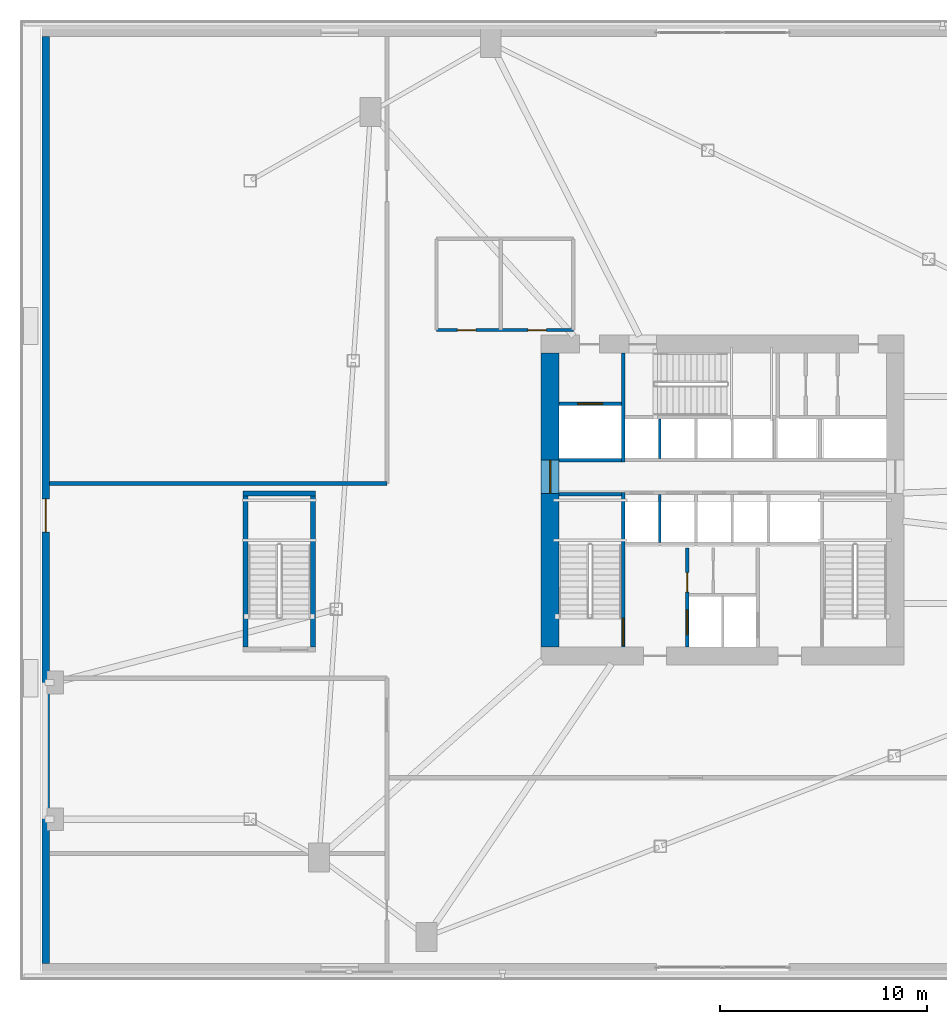
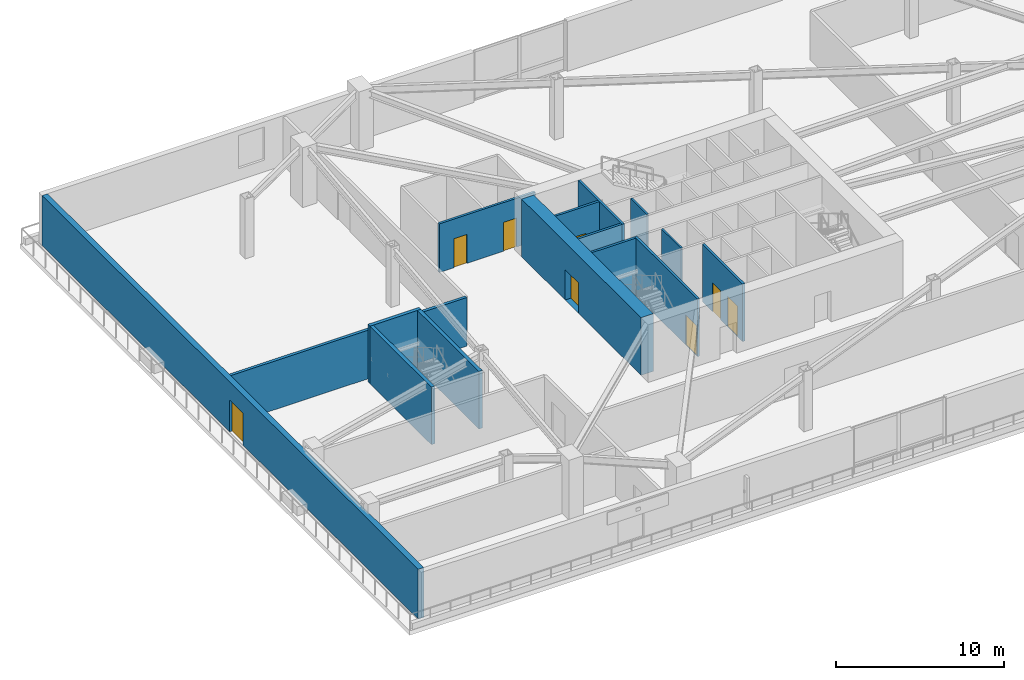
# One storey, part 8 of 16: 15 walls, 8 doors, 8 openings.
"""IFC4 building model written with IfcOpenShell, lengths in metres."""

from ifc_helpers import new_model, si_unit, direction, frame, frame_2d, origin, place, context, subcontext, project, spatial, rectangle, extrude, source, transform, mapped, material, layer, layer_set, type_object, type_shapes, element, fill, save


model = new_model("IFC4")

# Units and contexts
model_context = context("Model", 3, precision=1e-05, world=origin(), true_north=direction((0.0, 1.0)))
body_context = subcontext(model_context, "Body", "Model", "MODEL_VIEW")
ifc_project = project(units=[si_unit("LENGTHUNIT", "METRE"), si_unit("AREAUNIT", "SQUARE_METRE"), si_unit("VOLUMEUNIT", "CUBIC_METRE"), si_unit("PLANEANGLEUNIT", "RADIAN"), si_unit("MASSUNIT", "GRAM", prefix="KILO")], contexts=[model_context])

# Site, building, storey
site_placement = place(None, origin())
site = spatial("IfcSite", under=ifc_project, at=site_placement, CompositionType="ELEMENT")
building_placement = place(site_placement, origin())
building = spatial("IfcBuilding", under=site, at=building_placement, Name="Olszyna Solenne Hotel", CompositionType="ELEMENT")
storey_placement = place(building_placement, frame((0.0, 0.0, 15.60009765625)))
storey = spatial("IfcBuildingStorey", under=building, at=storey_placement, Name="L03", CompositionType="ELEMENT", Elevation=15.60009765625)

# Wall, opening, door
ifc_material_1 = material(Name="Concrete C60/75", Category="concrete")
ifc_layer_1 = layer(ifc_material_1, 0.85009765625, Name="Concrete C60/75")
ifc_layer_set_1 = layer_set([ifc_layer_1], Name="Concrete C60/75")
wall_type_1 = type_object("IfcWallType", Name="WL-CR850", PredefinedType="SHEAR", material=ifc_layer_set_1)
wall_1_placement = place(storey_placement, frame((29.675048828125, 19.5, 0.0), z_axis=(0.0, 0.0, 1.0), x_axis=(0.0, 1.0, 0.0)))
wall_1 = element("IfcWall", 1, at=wall_1_placement, inside=storey, type_object=wall_type_1, Name="Core shear wall WL-CR850 CRW-L03-W", PredefinedType="SHEAR", context=body_context, shape_type="SweptSolid", body=[
    extrude(rectangle(XDim=14.199951171875, YDim=0.85009765625, at=frame_2d((7.10009765625, 0.0))), origin(), (0.0, 0.0, 1.0), 4.179931640625),
])
opening_1_placement = place(wall_1_placement, frame((7.419921875, 0.0, 0.0)))
opening_1 = element("IfcOpeningElement", 2, at=opening_1_placement, cuts=wall_1, Name="Opening LHD-L03-W", PredefinedType="OPENING", context=body_context, shape_type="SweptSolid", body=[
    extrude(rectangle(XDim=1.60009765625, YDim=2.199951171875, at=frame_2d((0.800048828125, 1.10009765625))), frame((0.0, 0.43505859375, 0.0), z_axis=(0.0, -1.0, 0.0), x_axis=(1.0, 0.0, 0.0)), (0.0, 0.0, 1.0), 0.8701171875),
])
ifc_material_2 = material(Name="Timber hardwood", Category="wood")
door_type_1 = type_object("IfcDoorType", Name="DR-CR1", OperationType="DOUBLE_DOOR_SINGLE_SWING", PredefinedType="DOOR", material=ifc_material_2)
shared_shape_1 = source(origin(), body_context, "Body", "SweptSolid", [
    extrude(rectangle(XDim=1.60009765625, YDim=2.199951171875, at=frame_2d((0.800048828125, 1.10009765625))), frame((0.0, 0.02490234375, 0.0), z_axis=(0.0, -1.0, 0.0), x_axis=(1.0, 0.0, 0.0)), (0.0, 0.0, 1.0), 0.050048828125),
])
type_shapes(door_type_1, [shared_shape_1])
door_1_placement = place(opening_1_placement, origin())
door_1 = element("IfcDoor", 3, at=door_1_placement, inside=storey, type_object=door_type_1, Name="Passenger lift lobby West fire door LHD-L03-W", OperationType="DOUBLE_DOOR_SINGLE_SWING", OverallHeight=2.199951171875, OverallWidth=1.60009765625, PredefinedType="DOOR", context=body_context, shape_type="MappedRepresentation", body=[
    mapped(shared_shape_1, transform((0.0, 0.0, 0.0), x_axis=(1.0, 0.0, 0.0), y_axis=(0.0, 1.0, 0.0), z_axis=(0.0, 0.0, 1.0), scale=1.0)),
])
fill(opening_1, door_1)

ifc_material_3 = material(Name="Terracotta cladding on precast concrete C45/55", Category="masonry")
ifc_layer_2 = layer(ifc_material_3, 0.3798828125, Name="Terracotta cladding on precast concrete C45/55")
ifc_layer_set_2 = layer_set([ifc_layer_2], Name="Terracotta cladding on precast concrete C45/55")
wall_type_2 = type_object("IfcWallType", Name="WL-EX380", PredefinedType="SOLIDWALL", material=ifc_layer_set_2)
wall_2_placement = place(storey_placement, frame((5.340087890625, 4.239990234375, 0.0), z_axis=(0.0, 0.0, 1.0), x_axis=(0.0, 1.0, 0.0)))
wall_2 = element("IfcWall", 4, at=wall_2_placement, inside=storey, type_object=wall_type_2, Name="Podium terracotta-precast exterior wall EW-L03-W", PredefinedType="SOLIDWALL", context=body_context, shape_type="SweptSolid", body=[
    extrude(rectangle(XDim=44.719970703125, YDim=0.3798828125, at=frame_2d((22.35986328125, 0.0))), origin(), (0.0, 0.0, 1.0), 3.621826171875),
])
opening_2_placement = place(wall_2_placement, frame((20.81005859375, 0.0, 0.0)))
opening_2 = element("IfcOpeningElement", 5, at=opening_2_placement, cuts=wall_2, Name="Opening TD-L03-W", PredefinedType="OPENING", context=body_context, shape_type="SweptSolid", body=[
    extrude(rectangle(XDim=1.60009765625, YDim=2.300048828125, at=frame_2d((0.800048828125, 1.14990234375))), frame((0.0, 0.199951171875, 0.0), z_axis=(0.0, -1.0, 0.0), x_axis=(1.0, 0.0, 0.0)), (0.0, 0.0, 1.0), 0.39990234375),
])
ifc_material_4 = material(Name="Anodised bronze aluminium", Category="aluminium")
door_type_2 = type_object("IfcDoorType", Name="DR-EX2", OperationType="DOUBLE_DOOR_SINGLE_SWING", PredefinedType="DOOR", material=ifc_material_4)
shared_shape_2 = source(origin(), body_context, "Body", "SweptSolid", [
    extrude(rectangle(XDim=1.60009765625, YDim=2.300048828125, at=frame_2d((0.800048828125, 1.14990234375))), frame((0.0, 0.02490234375, 0.0), z_axis=(0.0, -1.0, 0.0), x_axis=(1.0, 0.0, 0.0)), (0.0, 0.0, 1.0), 0.050048828125),
])
type_shapes(door_type_2, [shared_shape_2])
door_2_placement = place(opening_2_placement, origin())
door_2 = element("IfcDoor", 6, at=door_2_placement, inside=storey, type_object=door_type_2, Name="Garden Terrace Double Door TD-L03-W", OperationType="DOUBLE_DOOR_SINGLE_SWING", OverallHeight=2.300048828125, OverallWidth=1.60009765625, PredefinedType="DOOR", context=body_context, shape_type="MappedRepresentation", body=[
    mapped(shared_shape_2, transform((0.0, 0.0, 0.0), x_axis=(1.0, 0.0, 0.0), y_axis=(0.0, 1.0, 0.0), z_axis=(0.0, 0.0, 1.0), scale=1.0)),
])
fill(opening_2, door_2)

# Walls
ifc_material_5 = material(Name="Acoustic gypsum partition", Category="gypsum")
ifc_layer_3 = layer(ifc_material_5, 0.125, Name="Acoustic gypsum partition")
ifc_layer_set_3 = layer_set([ifc_layer_3], Name="Acoustic gypsum partition")
wall_type_3 = type_object("IfcWallType", Name="WL-PT125", PredefinedType="PARTITIONING", material=ifc_layer_set_3)
wall_3_placement = place(storey_placement, frame((34.965087890625, 24.56005859375, 0.0), z_axis=(0.0, 0.0, 1.0), x_axis=(0.0, 1.0, 0.0)))
element("IfcWall", 7, at=wall_3_placement, inside=storey, type_object=wall_type_3, Name="Core shaft compartment wall CW-L03-DIVS349", PredefinedType="PARTITIONING", context=body_context, shape_type="SweptSolid", body=[
    extrude(rectangle(XDim=2.31005859375, YDim=0.125, at=frame_2d((1.155029296875, 0.0))), origin(), (0.0, 0.0, 1.0), 4.179931640625),
])
wall_4_placement = place(storey_placement, frame((34.965087890625, 28.60009765625, 0.0), z_axis=(0.0, 0.0, 1.0), x_axis=(0.0, 1.0, 0.0)))
element("IfcWall", 8, at=wall_4_placement, inside=storey, type_object=wall_type_3, Name="Core shaft compartment wall CW-L03-DIVN349", PredefinedType="PARTITIONING", context=body_context, shape_type="SweptSolid", body=[
    extrude(rectangle(XDim=1.919921875, YDim=0.125, at=frame_2d((0.9599609375, 0.0))), origin(), (0.0, 0.0, 1.0), 4.179931640625),
])

# Wall, opening, door
ifc_layer_4 = layer(ifc_material_5, 0.159912109375, Name="Acoustic gypsum partition")
ifc_layer_set_4 = layer_set([ifc_layer_4], Name="Acoustic gypsum partition")
wall_type_4 = type_object("IfcWallType", Name="WL-PT160", PredefinedType="PARTITIONING", material=ifc_layer_set_4)
wall_5_placement = place(storey_placement, frame((33.199951171875, 19.5, 0.0), z_axis=(0.0, 0.0, 1.0), x_axis=(0.0, 1.0, 0.0)))
wall_5 = element("IfcWall", 9, at=wall_5_placement, inside=storey, type_object=wall_type_4, Name="Core shaft compartment wall CW-L03-ST1E", PredefinedType="PARTITIONING", context=body_context, shape_type="SweptSolid", body=[
    extrude(rectangle(XDim=7.4599609375, YDim=0.159912109375, at=frame_2d((3.72998046875, 0.0))), origin(), (0.0, 0.0, 1.0), 4.179931640625),
])
opening_3_placement = place(wall_5_placement, frame((0.080078125, 0.0, 0.0)))
opening_3 = element("IfcOpeningElement", 10, at=opening_3_placement, cuts=wall_5, Name="Opening STD-L03-01", PredefinedType="OPENING", context=body_context, shape_type="SweptSolid", body=[
    extrude(rectangle(XDim=1.320068359375, YDim=2.199951171875, at=frame_2d((0.66015625, 1.10009765625))), frame((0.0, 0.08984375, 0.0), z_axis=(0.0, -1.0, 0.0), x_axis=(1.0, 0.0, 0.0)), (0.0, 0.0, 1.0), 0.179931640625),
])
ifc_material_6 = material(Name="Steel S355J2", Category="steel")
door_type_3 = type_object("IfcDoorType", Name="DR-ST1", OperationType="NOTDEFINED", PredefinedType="DOOR", material=ifc_material_6)
shared_shape_3 = source(origin(), body_context, "Body", "SweptSolid", [
    extrude(rectangle(XDim=1.320068359375, YDim=2.199951171875, at=frame_2d((0.66015625, 1.10009765625))), frame((0.0, 0.02490234375, 0.0), z_axis=(0.0, -1.0, 0.0), x_axis=(1.0, 0.0, 0.0)), (0.0, 0.0, 1.0), 0.050048828125),
])
type_shapes(door_type_3, [shared_shape_3])
door_3_placement = place(opening_3_placement, origin())
door_3 = element("IfcDoor", 11, at=door_3_placement, inside=storey, type_object=door_type_3, Name="Pressurised exit stair ST1 fire door STD-L03-01", OperationType="SINGLE_SWING_LEFT", OverallHeight=2.199951171875, OverallWidth=1.320068359375, PredefinedType="DOOR", context=body_context, shape_type="MappedRepresentation", body=[
    mapped(shared_shape_3, transform((0.0, 0.0, 0.0), x_axis=(1.0, 0.0, 0.0), y_axis=(0.0, 1.0, 0.0), z_axis=(0.0, 0.0, 1.0), scale=1.0)),
])
fill(opening_3, door_3)

# Wall
wall_6_placement = place(storey_placement, frame((30.10009765625, 26.8798828125, 0.0), z_axis=(0.0, 0.0, 1.0), x_axis=(1.0, 0.0, 0.0)))
element("IfcWall", 12, at=wall_6_placement, inside=storey, type_object=wall_type_4, Name="Core shaft compartment wall CW-L03-ST1N", PredefinedType="PARTITIONING", context=body_context, shape_type="SweptSolid", body=[
    extrude(rectangle(XDim=3.02001953125, YDim=0.159912109375, at=frame_2d((1.510009765625, 0.0))), origin(), (0.0, 0.0, 1.0), 4.179931640625),
])

# Wall, openings, doors
wall_7_placement = place(storey_placement, frame((36.300048828125, 19.5, 0.0), z_axis=(0.0, 0.0, 1.0), x_axis=(0.0, 1.0, 0.0)))
wall_7 = element("IfcWall", 13, at=wall_7_placement, inside=storey, type_object=wall_type_4, Name="Core shaft compartment wall CW-L03-FF1W", PredefinedType="PARTITIONING", context=body_context, shape_type="SweptSolid", body=[
    extrude(rectangle(XDim=4.780029296875, YDim=0.159912109375, at=frame_2d((2.39013671875, 0.0))), origin(), (0.0, 0.0, 1.0), 4.179931640625),
])
opening_4_placement = place(wall_7_placement, frame((0.60009765625, 0.0, 0.0)))
opening_4 = element("IfcOpeningElement", 14, at=opening_4_placement, cuts=wall_7, Name="Opening LD-L03-FF1", PredefinedType="OPENING", context=body_context, shape_type="SweptSolid", body=[
    extrude(rectangle(XDim=1.199951171875, YDim=2.199951171875, at=frame_2d((0.60009765625, 1.10009765625))), frame((0.0, 0.08984375, 0.0), z_axis=(0.0, -1.0, 0.0), x_axis=(1.0, 0.0, 0.0)), (0.0, 0.0, 1.0), 0.179931640625),
])
opening_5_placement = place(wall_7_placement, frame((2.64990234375, 0.0, 0.0)))
opening_5 = element("IfcOpeningElement", 15, at=opening_5_placement, cuts=wall_7, Name="Opening SVD-L03-SMK", PredefinedType="OPENING", context=body_context, shape_type="SweptSolid", body=[
    extrude(rectangle(XDim=0.949951171875, YDim=2.10009765625, at=frame_2d((0.47509765625, 1.050048828125))), frame((0.0, 0.08984375, 0.0), z_axis=(0.0, -1.0, 0.0), x_axis=(1.0, 0.0, 0.0)), (0.0, 0.0, 1.0), 0.179931640625),
])
door_type_4 = type_object("IfcDoorType", Name="DR-SV1", OperationType="NOTDEFINED", PredefinedType="DOOR", material=ifc_material_6)
shared_shape_4 = source(origin(), body_context, "Body", "SweptSolid", [
    extrude(rectangle(XDim=0.949951171875, YDim=2.10009765625, at=frame_2d((0.47509765625, 1.050048828125))), frame((0.0, 0.02490234375, 0.0), z_axis=(0.0, -1.0, 0.0), x_axis=(1.0, 0.0, 0.0)), (0.0, 0.0, 1.0), 0.050048828125),
])
type_shapes(door_type_4, [shared_shape_4])
door_4_placement = place(opening_5_placement, origin())
door_4 = element("IfcDoor", 16, at=door_4_placement, inside=storey, type_object=door_type_4, Name="Valet and core service room door SVD-L03-SMK", OperationType="SINGLE_SWING_LEFT", OverallHeight=2.10009765625, OverallWidth=0.949951171875, PredefinedType="DOOR", context=body_context, shape_type="MappedRepresentation", body=[
    mapped(shared_shape_4, transform((0.0, 0.0, 0.0), x_axis=(1.0, 0.0, 0.0), y_axis=(0.0, 1.0, 0.0), z_axis=(0.0, 0.0, 1.0), scale=1.0)),
])
fill(opening_5, door_4)
door_type_5 = type_object("IfcDoorType", Name="LD-FF1", OperationType="DOUBLE_DOOR_SLIDING", PredefinedType="DOOR", material=ifc_material_6)
shared_shape_5 = source(origin(), body_context, "Body", "SweptSolid", [
    extrude(rectangle(XDim=1.199951171875, YDim=2.199951171875, at=frame_2d((0.60009765625, 1.10009765625))), frame((0.0, 0.02490234375, 0.0), z_axis=(0.0, -1.0, 0.0), x_axis=(1.0, 0.0, 0.0)), (0.0, 0.0, 1.0), 0.050048828125),
])
type_shapes(door_type_5, [shared_shape_5])
door_5_placement = place(opening_4_placement, origin())
door_5 = element("IfcDoor", 17, at=door_5_placement, inside=storey, type_object=door_type_5, Name="Firefighters lift FF1 sliding landing door LD-L03-FF1", OperationType="DOUBLE_DOOR_SLIDING", OverallHeight=2.199951171875, OverallWidth=1.199951171875, PredefinedType="DOOR", context=body_context, shape_type="MappedRepresentation", body=[
    mapped(shared_shape_5, transform((0.0, 0.0, 0.0), x_axis=(1.0, 0.0, 0.0), y_axis=(0.0, 1.0, 0.0), z_axis=(0.0, 0.0, 1.0), scale=1.0)),
])
fill(opening_4, door_5)

# Walls
wall_8_placement = place(storey_placement, frame((30.10009765625, 28.52001953125, 0.0), z_axis=(0.0, 0.0, 1.0), x_axis=(1.0, 0.0, 0.0)))
element("IfcWall", 18, at=wall_8_placement, inside=storey, type_object=wall_type_4, Name="Core shaft compartment wall CW-L03-SV1S", PredefinedType="PARTITIONING", context=body_context, shape_type="SweptSolid", body=[
    extrude(rectangle(XDim=3.02001953125, YDim=0.159912109375, at=frame_2d((1.510009765625, 0.0))), origin(), (0.0, 0.0, 1.0), 4.179931640625),
])
wall_9_placement = place(storey_placement, frame((33.199951171875, 28.43994140625, 0.0), z_axis=(0.0, 0.0, 1.0), x_axis=(0.0, 1.0, 0.0)))
element("IfcWall", 19, at=wall_9_placement, inside=storey, type_object=wall_type_4, Name="Core shaft compartment wall CW-L03-SV1E", PredefinedType="PARTITIONING", context=body_context, shape_type="SweptSolid", body=[
    extrude(rectangle(XDim=5.260009765625, YDim=0.159912109375, at=frame_2d((2.6298828125, 0.0))), origin(), (0.0, 0.0, 1.0), 4.179931640625),
])

# Wall, opening, door
wall_10_placement = place(storey_placement, frame((30.10009765625, 31.239990234375, 0.0), z_axis=(0.0, 0.0, 1.0), x_axis=(1.0, 0.0, 0.0)))
wall_10 = element("IfcWall", 20, at=wall_10_placement, inside=storey, type_object=wall_type_4, Name="Core shaft compartment wall CW-L03-SV1N", PredefinedType="PARTITIONING", context=body_context, shape_type="SweptSolid", body=[
    extrude(rectangle(XDim=3.02001953125, YDim=0.159912109375, at=frame_2d((1.510009765625, 0.0))), origin(), (0.0, 0.0, 1.0), 4.179931640625),
])
opening_6_placement = place(wall_10_placement, frame((0.909912109375, 0.0, 0.0)))
opening_6 = element("IfcOpeningElement", 21, at=opening_6_placement, cuts=wall_10, Name="Opening LD-L03-SV1", PredefinedType="OPENING", context=body_context, shape_type="SweptSolid", body=[
    extrude(rectangle(XDim=1.199951171875, YDim=2.199951171875, at=frame_2d((0.60009765625, 1.10009765625))), frame((0.0, 0.08984375, 0.0), z_axis=(0.0, -1.0, 0.0), x_axis=(1.0, 0.0, 0.0)), (0.0, 0.0, 1.0), 0.179931640625),
])
door_6_placement = place(opening_6_placement, origin())
door_6 = element("IfcDoor", 22, at=door_6_placement, inside=storey, type_object=door_type_5, Name="Service lift SV1 sliding landing door LD-L03-SV1", OperationType="DOUBLE_DOOR_SLIDING", OverallHeight=2.199951171875, OverallWidth=1.199951171875, PredefinedType="DOOR", context=body_context, shape_type="MappedRepresentation", body=[
    mapped(shared_shape_5, transform((0.0, 0.0, 0.0), x_axis=(1.0, 0.0, 0.0), y_axis=(0.0, 1.0, 0.0), z_axis=(0.0, 0.0, 1.0), scale=1.0)),
])
fill(opening_6, door_6)

# Wall, openings, doors
wall_11_placement = place(storey_placement, frame((24.199951171875, 34.800048828125, 0.0), z_axis=(0.0, 0.0, 1.0), x_axis=(1.0, 0.0, 0.0)))
wall_11 = element("IfcWall", 23, at=wall_11_placement, inside=storey, type_object=wall_type_4, Name="Interior acoustic partition WL-PT160 PW-L03-0237", PredefinedType="PARTITIONING", context=body_context, shape_type="SweptSolid", body=[
    extrude(rectangle(XDim=6.60009765625, YDim=0.159912109375, at=frame_2d((3.300048828125, 0.0))), origin(), (0.0, 0.0, 1.0), 3.52978515625),
])
opening_7_placement = place(wall_11_placement, frame((1.0, 0.0, 0.0)))
opening_7 = element("IfcOpeningElement", 24, at=opening_7_placement, cuts=wall_11, Name="Opening DR-L03-0051", PredefinedType="OPENING", context=body_context, shape_type="SweptSolid", body=[
    extrude(rectangle(XDim=0.89990234375, YDim=2.10009765625, at=frame_2d((0.449951171875, 1.050048828125))), frame((0.0, 0.08984375, 0.0), z_axis=(0.0, -1.0, 0.0), x_axis=(1.0, 0.0, 0.0)), (0.0, 0.0, 1.0), 0.179931640625),
])
opening_8_placement = place(wall_11_placement, frame((4.39990234375, 0.0, 0.0)))
opening_8 = element("IfcOpeningElement", 25, at=opening_8_placement, cuts=wall_11, Name="Opening DR-L03-0052", PredefinedType="OPENING", context=body_context, shape_type="SweptSolid", body=[
    extrude(rectangle(XDim=0.89990234375, YDim=2.10009765625, at=frame_2d((0.449951171875, 1.050048828125))), frame((0.0, 0.08984375, 0.0), z_axis=(0.0, -1.0, 0.0), x_axis=(1.0, 0.0, 0.0)), (0.0, 0.0, 1.0), 0.179931640625),
])
door_type_6 = type_object("IfcDoorType", Name="DR-WC1", OperationType="NOTDEFINED", PredefinedType="DOOR", material=ifc_material_2)
shared_shape_6 = source(origin(), body_context, "Body", "SweptSolid", [
    extrude(rectangle(XDim=0.89990234375, YDim=2.10009765625, at=frame_2d((0.449951171875, 1.050048828125))), frame((0.0, 0.02490234375, 0.0), z_axis=(0.0, -1.0, 0.0), x_axis=(1.0, 0.0, 0.0)), (0.0, 0.0, 1.0), 0.050048828125),
])
type_shapes(door_type_6, [shared_shape_6])
door_7_placement = place(opening_7_placement, origin())
door_7 = element("IfcDoor", 26, at=door_7_placement, inside=storey, type_object=door_type_6, Name="Accessible WC Door DR-L03-0051", OperationType="SINGLE_SWING_LEFT", OverallHeight=2.10009765625, OverallWidth=0.89990234375, PredefinedType="DOOR", context=body_context, shape_type="MappedRepresentation", body=[
    mapped(shared_shape_6, transform((0.0, 0.0, 0.0), x_axis=(1.0, 0.0, 0.0), y_axis=(0.0, 1.0, 0.0), z_axis=(0.0, 0.0, 1.0), scale=1.0)),
])
fill(opening_7, door_7)
door_8_placement = place(opening_8_placement, origin())
door_8 = element("IfcDoor", 27, at=door_8_placement, inside=storey, type_object=door_type_6, Name="Public Restrooms Door DR-L03-0052", OperationType="SINGLE_SWING_RIGHT", OverallHeight=2.10009765625, OverallWidth=0.89990234375, PredefinedType="DOOR", context=body_context, shape_type="MappedRepresentation", body=[
    mapped(shared_shape_6, transform((0.0, 0.0, 0.0), x_axis=(1.0, 0.0, 0.0), y_axis=(0.0, 1.0, 0.0), z_axis=(0.0, 0.0, 1.0), scale=1.0)),
])
fill(opening_8, door_8)

# Walls
ifc_layer_5 = layer(ifc_material_5, 0.199951171875, Name="Acoustic gypsum partition")
ifc_layer_set_5 = layer_set([ifc_layer_5], Name="Acoustic gypsum partition")
wall_type_5 = type_object("IfcWallType", Name="WL-PT200", PredefinedType="PARTITIONING", material=ifc_layer_set_5)
wall_12_placement = place(storey_placement, frame((5.530029296875, 27.39990234375, 0.0), z_axis=(0.0, 0.0, 1.0), x_axis=(1.0, 0.0, 0.0)))
element("IfcWall", 28, at=wall_12_placement, inside=storey, type_object=wall_type_5, Name="Interior acoustic partition WL-PT200 PW-L03-0232", PredefinedType="PARTITIONING", context=body_context, shape_type="SweptSolid", body=[
    extrude(rectangle(XDim=16.27001953125, YDim=0.199951171875, at=frame_2d((8.135009765625, 0.0))), origin(), (0.0, 0.0, 1.0), 3.52978515625),
])
ifc_layer_6 = layer(ifc_material_5, 0.239990234375, Name="Acoustic gypsum partition")
ifc_layer_set_6 = layer_set([ifc_layer_6], Name="Acoustic gypsum partition")
wall_type_6 = type_object("IfcWallType", Name="WL-PT240", PredefinedType="PARTITIONING", material=ifc_layer_set_6)
wall_13_placement = place(storey_placement, frame((14.860107421875, 26.919921875, 0.0), z_axis=(0.0, 0.0, 1.0), x_axis=(1.0, 0.0, 0.0)))
element("IfcWall", 29, at=wall_13_placement, inside=storey, type_object=wall_type_6, Name="Core shaft compartment wall CW-L03-ST4N", PredefinedType="PARTITIONING", context=body_context, shape_type="SweptSolid", body=[
    extrude(rectangle(XDim=3.5, YDim=0.239990234375, at=frame_2d((1.75, 0.0))), origin(), (0.0, 0.0, 1.0), 4.179931640625),
])
for number, where, z_axis, x_axis, name in (
    (30, (14.97998046875, 19.5, 0.0), (0.0, 0.0, 1.0), (0.0, 1.0, 0.0), "Core shaft compartment wall CW-L03-ST4W"),
    (31, (18.239990234375, 26.800048828125, 0.0), (0.0, 0.0, 1.0), (0.0, -1.0, 0.0), "Core shaft compartment wall CW-L03-ST4E"),
):
    element("IfcWall", number, at=place(storey_placement, frame(where, z_axis=z_axis, x_axis=x_axis)), inside=storey, type_object=wall_type_6, Name=name, PredefinedType="PARTITIONING", context=body_context, shape_type="SweptSolid", body=[
        extrude(rectangle(XDim=7.300048828125, YDim=0.239990234375, at=frame_2d((3.64990234375, 0.0))), origin(), (0.0, 0.0, 1.0), 4.179931640625),
    ])

save(model, "model.ifc")
